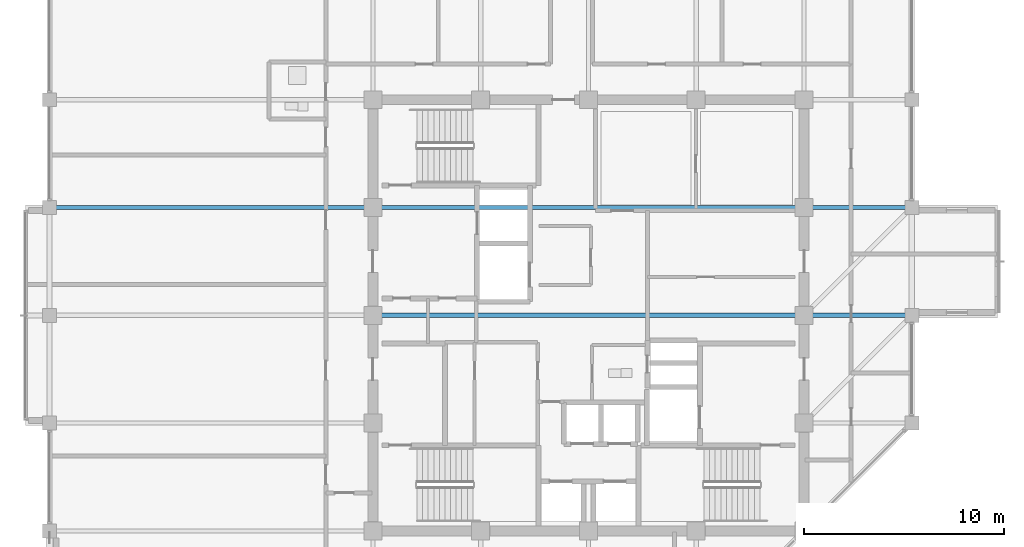
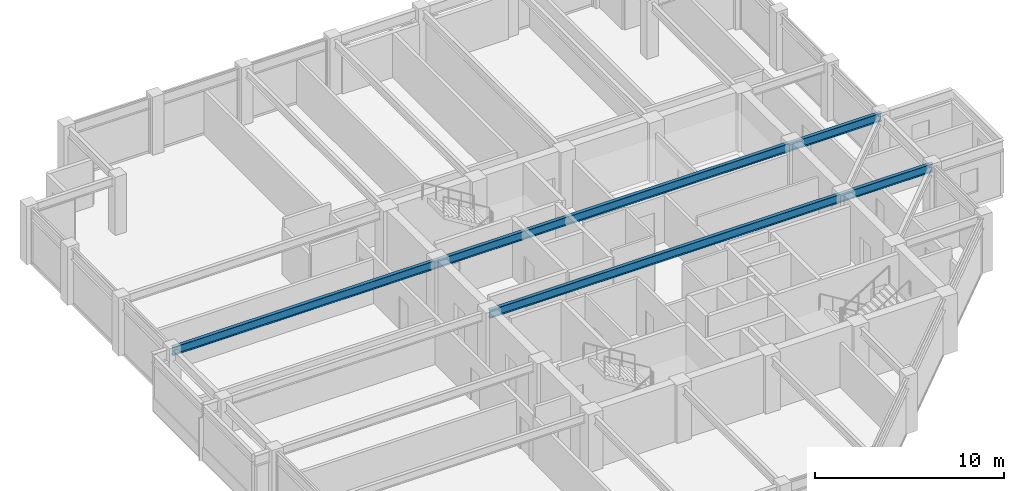
# One storey, part 11 of 32: 3 beams.
"""IFC4 building model written with IfcOpenShell, lengths in metres."""

from ifc_helpers import new_model, si_unit, direction, frame, origin, origin_2d, place, context, subcontext, project, spatial, i_section, extrude, material, material_profile, profile_set, type_object, element, save


model = new_model("IFC4")

# Units and contexts
model_context = context("Model", 3, precision=1e-05, world=origin(), true_north=direction((0.0, 1.0)))
body_context = subcontext(model_context, "Body", "Model", "MODEL_VIEW")
ifc_project = project(units=[si_unit("LENGTHUNIT", "METRE"), si_unit("AREAUNIT", "SQUARE_METRE"), si_unit("VOLUMEUNIT", "CUBIC_METRE"), si_unit("PLANEANGLEUNIT", "RADIAN"), si_unit("MASSUNIT", "GRAM", prefix="KILO")], contexts=[model_context])

# Site, building, storey
site_placement = place(None, origin())
site = spatial("IfcSite", under=ifc_project, at=site_placement, CompositionType="ELEMENT")
building_placement = place(site_placement, origin())
building = spatial("IfcBuilding", under=site, at=building_placement, Name="Surkhivell Harbour Commons", CompositionType="ELEMENT")
storey_placement = place(building_placement, frame((0.0, 0.0, 311.25)))
storey = spatial("IfcBuildingStorey", under=building, at=storey_placement, Name="L81", CompositionType="ELEMENT", Elevation=311.25)

# Beams
ifc_material = material(Name="Steel S355", Category="steel")
ifc_material_profile = material_profile(ifc_material, i_section(OverallWidth=0.2099609375, OverallDepth=0.537109375, WebThickness=0.0107421875, FlangeThickness=0.017333984375, at=origin_2d()), Name="UB533x210x101")
ifc_profile_set = profile_set([ifc_material_profile], Name="Steel S355")
beam_type = type_object("IfcBeamType", Name="BM-GRD-533B", PredefinedType="BEAM", material=ifc_profile_set)
for number, where, z_axis, x_axis, name in (
    (1, (-10.800048828125, 0.0, 3.301513671875), (1.0, 0.0, 0.0), (0.0, 1.0, 0.0), "L81 Cantilever Back-Span Girder (-10.8,0.0)"),
    (2, (-10.800048828125, 5.39990234375, 3.301513671875), (1.0, 0.0, 0.0), (0.0, 1.0, 0.0), "L81 Cantilever Back-Span Girder (-10.8,5.4)"),
):
    element("IfcBeam", number, at=place(storey_placement, frame(where, z_axis=z_axis, x_axis=x_axis)), inside=storey, type_object=beam_type, Name=name, PredefinedType="BEAM", context=body_context, shape_type="SweptSolid", body=[
        extrude(i_section(OverallWidth=0.2099609375, OverallDepth=0.537109375, WebThickness=0.0107421875, FlangeThickness=0.017333984375, at=origin_2d()), origin(), (0.0, 0.0, 1.0), 27.0),
    ])
beam_placement = place(storey_placement, frame((-27.0, 5.39990234375, 3.301513671875), z_axis=(1.0, 0.0, 0.0), x_axis=(0.0, 1.0, 0.0)))
element("IfcBeam", 3, at=beam_placement, inside=storey, type_object=beam_type, Name="L81 Floor Girder (-27.0,5.4)", PredefinedType="BEAM", context=body_context, shape_type="SweptSolid", body=[
    extrude(i_section(OverallWidth=0.2099609375, OverallDepth=0.537109375, WebThickness=0.0107421875, FlangeThickness=0.017333984375, at=origin_2d()), origin(), (0.0, 0.0, 1.0), 16.199951171875),
])

save(model, "model.ifc")
